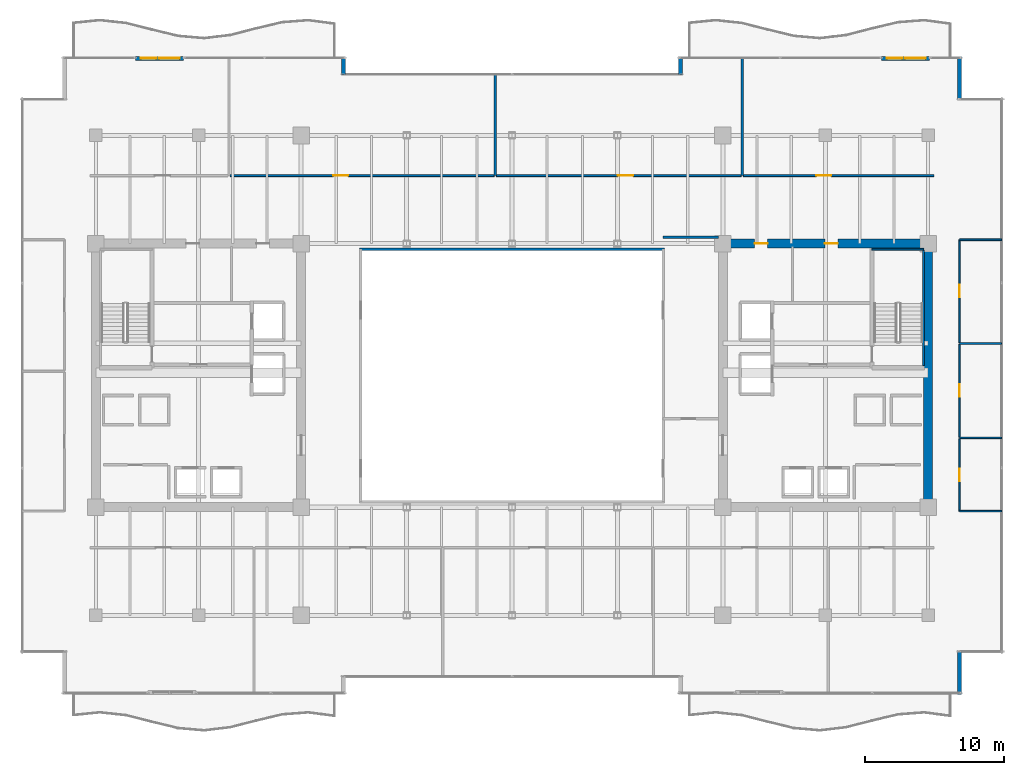
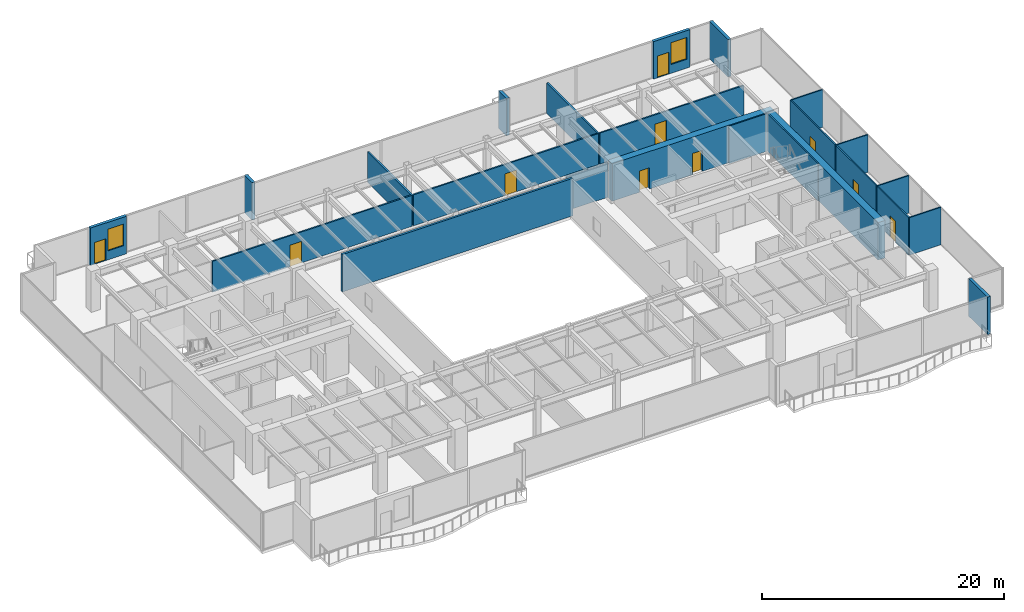
# One storey, part 26 of 30: 24 walls, 10 doors, 2 windows, 12 openings.
"""IFC4 building model written with IfcOpenShell, lengths in metres."""

import ifcopenshell
import ifcopenshell.guid

model = None  # the IFC model being written
_history = None  # IfcOwnerHistory: only IFC2X3 demands one
_inside = {}  # id of a spatial element -> (the spatial element, [elements in it])
_under = {}  # id of a project, library or spatial element -> (it, [spatial elements below it])
_declared = {}  # id of a project -> (the project, [libraries it declares])
_typed = {}  # id of a type object -> (the type object, [elements of that type])
_made_of = {}  # id of a material, layer set ... -> (it, [elements and type objects made of it])


def new_model(schema):
    """Start an empty IFC model of exactly this schema.

    Asked for "IFC4X3", IfcOpenShell would pick the latest addendum, in which some entities
    have other attributes; the version numbers below select the first issue.
    IFC2X3 requires an IfcOwnerHistory on every rooted entity: one is made here for all.
    """
    global model, _history
    if schema == "IFC4X3":
        model = ifcopenshell.file(schema_version=(4, 3, 0, 0))
    else:
        model = ifcopenshell.file(schema=schema)
    _inside.clear()
    _under.clear()
    _declared.clear()
    _typed.clear()
    _made_of.clear()
    _history = None
    if model.schema == "IFC2X3":
        org = make("IfcOrganization", Name="unknown")
        user = make(
            "IfcPersonAndOrganization",
            ThePerson=make("IfcPerson", FamilyName="unknown"),
            TheOrganization=org,
        )
        app = make(
            "IfcApplication",
            ApplicationDeveloper=org,
            Version="unknown",
            ApplicationFullName="unknown",
            ApplicationIdentifier="unknown",
        )
        _history = make(
            "IfcOwnerHistory",
            OwningUser=user,
            OwningApplication=app,
            ChangeAction="ADDED",
            CreationDate=0,
        )
    return model


def make(cls, **values):
    """One entity of the class cls with the attributes given. An attribute that is None is left unset."""
    return model.create_entity(
        cls, **{name: value for name, value in values.items() if value is not None}
    )


def rooted(cls, **values):
    """An entity with a GlobalId (a new one), such as an element, a storey or a relation."""
    return make(cls, GlobalId=ifcopenshell.guid.new(), OwnerHistory=_history, **values)


def si_unit(unit_type, name, prefix=None):
    """IfcSIUnit, for example si_unit("LENGTHUNIT", "METRE", prefix="MILLI")."""
    return make("IfcSIUnit", UnitType=unit_type, Prefix=prefix, Name=name)


def assignment(units):
    """IfcUnitAssignment: the units of a project."""
    return None if units is None else make("IfcUnitAssignment", Units=units)


def point(xyz):
    """IfcCartesianPoint."""
    return None if xyz is None else make("IfcCartesianPoint", Coordinates=xyz)


def direction(xyz):
    """IfcDirection."""
    return None if xyz is None else make("IfcDirection", DirectionRatios=xyz)


def frame(location, z_axis=None, x_axis=None):
    """IfcAxis2Placement3D, a coordinate frame: its origin and axes. An axis left out is left unset."""
    return make(
        "IfcAxis2Placement3D",
        Location=point(location),
        Axis=direction(z_axis),
        RefDirection=direction(x_axis),
    )


def frame_2d(location, x_axis=None):
    """IfcAxis2Placement2D, a coordinate frame in the plane: its origin and x axis."""
    return make(
        "IfcAxis2Placement2D", Location=point(location), RefDirection=direction(x_axis)
    )


def origin():
    """The frame at (0, 0, 0) with its axes left unset."""
    return frame((0.0, 0.0, 0.0))


def place(relative_to, where):
    """IfcLocalPlacement: puts the frame where relative to a parent placement (None: the world)."""
    return make(
        "IfcLocalPlacement", PlacementRelTo=relative_to, RelativePlacement=where
    )


def context(
    kind, dimensions, precision=None, world=None, true_north=None, identifier=None
):
    """IfcGeometricRepresentationContext, for example the 3D "Model" context."""
    return make(
        "IfcGeometricRepresentationContext",
        ContextIdentifier=identifier,
        ContextType=kind,
        CoordinateSpaceDimension=dimensions,
        Precision=precision,
        WorldCoordinateSystem=world,
        TrueNorth=true_north,
    )


def subcontext(parent, identifier, kind, view, scale=None):
    """IfcGeometricRepresentationSubContext, for example "Body" below "Model"."""
    return make(
        "IfcGeometricRepresentationSubContext",
        ContextIdentifier=identifier,
        ContextType=kind,
        ParentContext=parent,
        TargetScale=scale,
        TargetView=view,
    )


def project(units=None, contexts=None):
    """IfcProject with its units and contexts."""
    return rooted(
        "IfcProject",
        Name="project",
        RepresentationContexts=contexts,
        UnitsInContext=assignment(units),
    )


def spatial(cls, under=None, at=None, **own):
    """A site, building, storey or space (cls), placed at a placement, below another one or the project."""
    s = rooted(cls, ObjectPlacement=at, **own)
    if under is not None:
        _under.setdefault(under.id(), (under, []))[1].append(s)
    return s


def profile(cls, at=None, kind="AREA", **sizes):
    """A parametric profile (cls). Its sizes go by their IFC names, for example OverallWidth=200.0."""
    return make(cls, ProfileType=kind, Position=at, **sizes)


def rectangle(**sizes):
    """IfcRectangleProfileDef."""
    return profile("IfcRectangleProfileDef", **sizes)


def extrude(swept, where, along, depth):
    """IfcExtrudedAreaSolid: the profile swept, set in the frame where, extruded along a direction by depth."""
    return make(
        "IfcExtrudedAreaSolid",
        SweptArea=swept,
        Position=where,
        ExtrudedDirection=direction(along),
        Depth=depth,
    )


def shape(context_of_items, identifier, shape_type, items):
    """IfcShapeRepresentation: the items that make up one representation, for example the "Body"."""
    return make(
        "IfcShapeRepresentation",
        ContextOfItems=context_of_items,
        RepresentationIdentifier=identifier,
        RepresentationType=shape_type,
        Items=items,
    )


def source(mapping_origin, context_of_items, identifier, shape_type, items):
    """IfcRepresentationMap: a shape defined once, which mapped items show again and again."""
    return make(
        "IfcRepresentationMap",
        MappingOrigin=mapping_origin,
        MappedRepresentation=shape(context_of_items, identifier, shape_type, items),
    )


def transform(
    local_origin,
    x_axis=None,
    y_axis=None,
    z_axis=None,
    scale=None,
    scale2=None,
    scale3=None,
    uniform=True,
):
    """IfcCartesianTransformationOperator3D, or its non-uniform kind. x_axis, y_axis, z_axis: its Axis1, 2, 3."""
    if uniform:
        return make(
            "IfcCartesianTransformationOperator3D",
            Axis1=direction(x_axis),
            Axis2=direction(y_axis),
            LocalOrigin=point(local_origin),
            Scale=scale,
            Axis3=direction(z_axis),
        )
    return make(
        "IfcCartesianTransformationOperator3DnonUniform",
        Axis1=direction(x_axis),
        Axis2=direction(y_axis),
        LocalOrigin=point(local_origin),
        Scale=scale,
        Axis3=direction(z_axis),
        Scale2=scale2,
        Scale3=scale3,
    )


def mapped(mapping_source, mapping_target):
    """IfcMappedItem: shows the shape of a source again, moved by a transform."""
    return make(
        "IfcMappedItem", MappingSource=mapping_source, MappingTarget=mapping_target
    )


def material(Name=None, Category=None):
    """IfcMaterial."""
    return make("IfcMaterial", Name=Name, Category=Category)


def layer(
    of_material, thickness, ventilated=None, Name=None, Category=None, Priority=None
):
    """IfcMaterialLayer: one layer of a wall or slab, of a material (None: an air gap)."""
    return make(
        "IfcMaterialLayer",
        Material=of_material,
        LayerThickness=thickness,
        IsVentilated=ventilated,
        Name=Name,
        Category=Category,
        Priority=Priority,
    )


def layer_set(layers, Name=None):
    """IfcMaterialLayerSet."""
    return make("IfcMaterialLayerSet", MaterialLayers=layers, LayerSetName=Name)


def made_of(thing, what):
    """Note that an element or type object is made of a material, layer set ...; save() writes the relation."""
    if what is not None:
        _made_of.setdefault(what.id(), (what, []))[1].append(thing)
    return thing


def type_object(cls, material=None, **own):
    """A type object (cls), such as IfcWallType, which elements share."""
    return made_of(rooted(cls, **own), material)


def type_shapes(of_type, sources):
    """Give a type object the sources (RepresentationMaps) that its elements show as mapped items."""
    of_type.RepresentationMaps = sources


def element(
    cls,
    number,
    at=None,
    inside=None,
    cuts=None,
    type_object=None,
    material=None,
    context=None,
    identifier="Body",
    shape_type=None,
    held_by="IfcProductDefinitionShape",
    body=None,
    shapes=None,
    **own,
):
    """One element of the class cls, such as IfcWall. Its Tag is "e" and its number.

    at: its placement. inside: the storey or other place that contains it. cuts: it is an
    opening in that element (IfcRelVoidsElement). A single representation is given by context,
    identifier, shape_type and body (its items); several are given by shapes. held_by: the class
    of the entity that holds the representations. save() writes the other relations.
    """
    e = rooted(cls, Tag="e%d" % number, ObjectPlacement=at, **own)
    if body is not None:
        shapes = [shape(context, identifier, shape_type, body)]
    if shapes is not None:
        e.Representation = make(held_by, Representations=shapes)
    if inside is not None:
        _inside.setdefault(inside.id(), (inside, []))[1].append(e)
    if cuts is not None:
        rooted(
            "IfcRelVoidsElement", RelatingBuildingElement=cuts, RelatedOpeningElement=e
        )
    if type_object is not None:
        _typed.setdefault(type_object.id(), (type_object, []))[1].append(e)
    return made_of(e, material)


def fill(opening, filler):
    """IfcRelFillsElement: the door or window that sits in an opening."""
    return rooted(
        "IfcRelFillsElement",
        RelatingOpeningElement=opening,
        RelatedBuildingElement=filler,
    )


def aggregate(whole, parts):
    """IfcRelAggregates: a whole, such as a stair, and the parts it consists of."""
    return rooted("IfcRelAggregates", RelatingObject=whole, RelatedObjects=parts)


def save(model, path):
    """Write the relations noted so far, then the file.

    IfcRelAggregates (storeys below a building ...), IfcRelContainedInSpatialStructure (elements
    in a storey), IfcRelDefinesByType, IfcRelAssociatesMaterial and IfcRelDeclares: one each for
    every whole, place, type object, material and project.
    """
    for whole, parts in _under.values():
        aggregate(whole, parts)
    for where, things in _inside.values():
        rooted(
            "IfcRelContainedInSpatialStructure",
            RelatedElements=things,
            RelatingStructure=where,
        )
    for kind, things in _typed.values():
        rooted("IfcRelDefinesByType", RelatedObjects=things, RelatingType=kind)
    for what, things in _made_of.values():
        rooted("IfcRelAssociatesMaterial", RelatedObjects=things, RelatingMaterial=what)
    for by, libraries in _declared.values():
        rooted("IfcRelDeclares", RelatingContext=by, RelatedDefinitions=libraries)
    model.write(path)


model = new_model("IFC4")

# Units and contexts
model_context = context("Model", 3, precision=1e-05, world=origin(), true_north=direction((0.0, 1.0)))
body_context = subcontext(model_context, "Body", "Model", "MODEL_VIEW")
ifc_project = project(units=[si_unit("LENGTHUNIT", "METRE"), si_unit("AREAUNIT", "SQUARE_METRE"), si_unit("VOLUMEUNIT", "CUBIC_METRE"), si_unit("PLANEANGLEUNIT", "RADIAN"), si_unit("MASSUNIT", "GRAM", prefix="KILO")], contexts=[model_context])

# Site, building, storey
site_placement = place(None, origin())
site = spatial("IfcSite", under=ifc_project, at=site_placement, CompositionType="ELEMENT")
building_placement = place(site_placement, origin())
building = spatial("IfcBuilding", under=site, at=building_placement, Name="Haelvirn Gate Laboratories", CompositionType="ELEMENT")
storey_placement = place(building_placement, frame((0.0, 0.0, 146.10009765625)))
storey = spatial("IfcBuildingStorey", under=building, at=storey_placement, Name="L35", CompositionType="ELEMENT", Elevation=146.10009765625)

# Wall, openings, door, window
ifc_material_1 = material(Name="Thermally-broken bronze aluminium rainscreen & mineral wool", Category="aluminium")
ifc_layer_1 = layer(ifc_material_1, 0.280029296875, Name="EW-TERR-280")
ifc_layer_set_1 = layer_set([ifc_layer_1], Name="Thermally-broken bronze aluminium rainscreen & mineral wool")
wall_type_1 = type_object("IfcWallType", Name="EW-TERR-280", PredefinedType="STANDARD", material=ifc_layer_set_1)
wall_1_placement = place(storey_placement, frame((10.261962890625, 47.159912109375, 0.0), z_axis=(0.0, 0.0, 1.0), x_axis=(1.0, 0.0, 0.0)))
wall_1 = element("IfcWall", 1, at=wall_1_placement, inside=storey, type_object=wall_type_1, Name="L35 Terrace Access Wall WB-WL-N", PredefinedType="STANDARD", context=body_context, shape_type="SweptSolid", body=[
    extrude(rectangle(XDim=3.4609375, YDim=0.280029296875, at=frame_2d((1.73046875, 0.0))), origin(), (0.0, 0.0, 1.0), 3.789794921875),
])
opening_1_placement = place(wall_1_placement, frame((0.3779296875, 0.0, 0.0)))
opening_1 = element("IfcOpeningElement", 2, at=opening_1_placement, cuts=wall_1, Name="Opening TD1", PredefinedType="OPENING", context=body_context, shape_type="SweptSolid", body=[
    extrude(rectangle(XDim=1.10009765625, YDim=2.199951171875, at=frame_2d((0.550048828125, 1.10009765625))), frame((0.0, 0.14990234375, 0.0), z_axis=(0.0, -1.0, 0.0), x_axis=(1.0, 0.0, 0.0)), (0.0, 0.0, 1.0), 0.300048828125),
])
opening_2_placement = place(wall_1_placement, frame((1.677978515625, 0.0, 0.89990234375)))
opening_2 = element("IfcOpeningElement", 3, at=opening_2_placement, cuts=wall_1, Name="Opening W3", PredefinedType="OPENING", context=body_context, shape_type="SweptSolid", body=[
    extrude(rectangle(XDim=1.5, YDim=2.199951171875, at=frame_2d((0.75, 1.10009765625))), frame((0.0, 0.14990234375, 0.0), z_axis=(0.0, -1.0, 0.0), x_axis=(1.0, 0.0, 0.0)), (0.0, 0.0, 1.0), 0.300048828125),
])
ifc_material_2 = material(Name="Thermally-broken bronze aluminium glazed terrace door", Category="aluminium")
door_type_1 = type_object("IfcDoorType", Name="DR-TERR-1100", OperationType="NOTDEFINED", PredefinedType="DOOR", material=ifc_material_2)
shared_shape_1 = source(origin(), body_context, "Body", "SweptSolid", [
    extrude(rectangle(XDim=1.10009765625, YDim=2.199951171875, at=frame_2d((0.550048828125, 1.10009765625))), frame((0.0, 0.02490234375, 0.0), z_axis=(0.0, -1.0, 0.0), x_axis=(1.0, 0.0, 0.0)), (0.0, 0.0, 1.0), 0.050048828125),
])
type_shapes(door_type_1, [shared_shape_1])
door_1_placement = place(opening_1_placement, origin())
door_1 = element("IfcDoor", 4, at=door_1_placement, inside=storey, type_object=door_type_1, Name="L35 Terrace Access Door WB-WL-N", OperationType="SINGLE_SWING_RIGHT", OverallHeight=2.199951171875, OverallWidth=1.10009765625, PredefinedType="DOOR", context=body_context, shape_type="MappedRepresentation", body=[
    mapped(shared_shape_1, transform((0.0, 0.0, 0.0), scale=1.0)),
])
fill(opening_1, door_1)
ifc_material_3 = material(Name="Bronze anodised aluminium & triple low-E glass", Category="aluminium")
window_type = type_object("IfcWindowType", Name="WIN-TERR-1600", PartitioningType="SINGLE_PANEL", PredefinedType="WINDOW", material=ifc_material_3)
shared_shape_2 = source(origin(), body_context, "Body", "SweptSolid", [
    extrude(rectangle(XDim=1.5, YDim=2.199951171875, at=frame_2d((0.75, 1.10009765625))), frame((0.0, 0.030029296875, 0.0), z_axis=(0.0, -1.0, 0.0), x_axis=(1.0, 0.0, 0.0)), (0.0, 0.0, 1.0), 0.06005859375),
])
type_shapes(window_type, [shared_shape_2])
window_1_placement = place(opening_2_placement, origin())
window_1 = element("IfcWindow", 5, at=window_1_placement, inside=storey, type_object=window_type, Name="L35 Terrace Vision Window WB-WL-N", OverallHeight=2.199951171875, OverallWidth=1.5, PartitioningType="SINGLE_PANEL", PredefinedType="WINDOW", context=body_context, shape_type="MappedRepresentation", body=[
    mapped(shared_shape_2, transform((0.0, 0.0, 0.0), scale=1.0)),
])
fill(opening_2, window_1)

wall_2_placement = place(storey_placement, frame((64.0419921875, 47.159912109375, 0.0), z_axis=(0.0, 0.0, 1.0), x_axis=(1.0, 0.0, 0.0)))
wall_2 = element("IfcWall", 6, at=wall_2_placement, inside=storey, type_object=wall_type_1, Name="L35 Terrace Access Wall WB-EL-N", PredefinedType="STANDARD", context=body_context, shape_type="SweptSolid", body=[
    extrude(rectangle(XDim=3.4609375, YDim=0.280029296875, at=frame_2d((1.73046875, 0.0))), origin(), (0.0, 0.0, 1.0), 3.789794921875),
])
opening_3_placement = place(wall_2_placement, frame((0.3779296875, 0.0, 0.0)))
opening_3 = element("IfcOpeningElement", 7, at=opening_3_placement, cuts=wall_2, Name="Opening TD1", PredefinedType="OPENING", context=body_context, shape_type="SweptSolid", body=[
    extrude(rectangle(XDim=1.10009765625, YDim=2.199951171875, at=frame_2d((0.550048828125, 1.10009765625))), frame((0.0, 0.14990234375, 0.0), z_axis=(0.0, -1.0, 0.0), x_axis=(1.0, 0.0, 0.0)), (0.0, 0.0, 1.0), 0.300048828125),
])
opening_4_placement = place(wall_2_placement, frame((1.677978515625, 0.0, 0.89990234375)))
opening_4 = element("IfcOpeningElement", 8, at=opening_4_placement, cuts=wall_2, Name="Opening W3", PredefinedType="OPENING", context=body_context, shape_type="SweptSolid", body=[
    extrude(rectangle(XDim=1.5, YDim=2.199951171875, at=frame_2d((0.75, 1.10009765625))), frame((0.0, 0.14990234375, 0.0), z_axis=(0.0, -1.0, 0.0), x_axis=(1.0, 0.0, 0.0)), (0.0, 0.0, 1.0), 0.300048828125),
])
door_2_placement = place(opening_3_placement, origin())
door_2 = element("IfcDoor", 9, at=door_2_placement, inside=storey, type_object=door_type_1, Name="L35 Terrace Access Door WB-EL-N", OperationType="SINGLE_SWING_RIGHT", OverallHeight=2.199951171875, OverallWidth=1.10009765625, PredefinedType="DOOR", context=body_context, shape_type="MappedRepresentation", body=[
    mapped(shared_shape_1, transform((0.0, 0.0, 0.0), scale=1.0)),
])
fill(opening_3, door_2)
window_2_placement = place(opening_4_placement, origin())
window_2 = element("IfcWindow", 10, at=window_2_placement, inside=storey, type_object=window_type, Name="L35 Terrace Vision Window WB-EL-N", OverallHeight=2.199951171875, OverallWidth=1.5, PartitioningType="SINGLE_PANEL", PredefinedType="WINDOW", context=body_context, shape_type="MappedRepresentation", body=[
    mapped(shared_shape_2, transform((0.0, 0.0, 0.0), scale=1.0)),
])
fill(opening_4, window_2)

# Walls
wall_3_placement = place(storey_placement, frame((69.659912109375, 1.300048828125, 0.0), z_axis=(0.0, 0.0, 1.0), x_axis=(0.0, 1.0, 0.0)))
element("IfcWall", 11, at=wall_3_placement, inside=storey, type_object=wall_type_1, Name="L35 Atrium Recess Bronze Return Wall 05", PredefinedType="STANDARD", context=body_context, shape_type="SweptSolid", body=[
    extrude(rectangle(XDim=3.087890625, YDim=0.280029296875, at=frame_2d((1.5439453125, 0.0))), origin(), (0.0, 0.0, 1.0), 3.789794921875),
])
wall_4_placement = place(storey_placement, frame((69.659912109375, 44.2119140625, 0.0), z_axis=(0.0, 0.0, 1.0), x_axis=(0.0, 1.0, 0.0)))
element("IfcWall", 12, at=wall_4_placement, inside=storey, type_object=wall_type_1, Name="L35 Atrium Recess Bronze Return Wall 09", PredefinedType="STANDARD", context=body_context, shape_type="SweptSolid", body=[
    extrude(rectangle(XDim=3.088134765625, YDim=0.280029296875, at=frame_2d((1.5439453125, 0.0))), origin(), (0.0, 0.0, 1.0), 3.789794921875),
])
for number, where, z_axis, x_axis, name in (
    (13, (49.5400390625, 47.300048828125, 0.0), (0.0, 0.0, 1.0), (0.0, -1.0, 0.0), "L35 Atrium Recess Bronze Return Wall 11"),
    (14, (25.260009765625, 46.011962890625, 0.0), (0.0, 0.0, 1.0), (0.0, 1.0, 0.0), "L35 Atrium Recess Bronze Return Wall 13"),
):
    element("IfcWall", number, at=place(storey_placement, frame(where, z_axis=z_axis, x_axis=x_axis)), inside=storey, type_object=wall_type_1, Name=name, PredefinedType="STANDARD", context=body_context, shape_type="SweptSolid", body=[
        extrude(rectangle(XDim=1.2880859375, YDim=0.280029296875, at=frame_2d((0.64404296875, 0.0))), origin(), (0.0, 0.0, 1.0), 3.789794921875),
    ])
ifc_material_4 = material(Name="Double-layer acoustic gypsum laboratory partition", Category="gypsum")
ifc_layer_2 = layer(ifc_material_4, 0.159912109375, Name="IW-ACOUST-160")
ifc_layer_set_2 = layer_set([ifc_layer_2], Name="Double-layer acoustic gypsum laboratory partition")
wall_type_2 = type_object("IfcWallType", Name="IW-ACOUST-160", PredefinedType="PARTITIONING", material=ifc_layer_set_2)
wall_5_placement = place(storey_placement, frame((36.199951171875, 38.705078125, 0.0), z_axis=(0.0, 0.0, 1.0), x_axis=(0.0, 1.0, 0.0)))
element("IfcWall", 15, at=wall_5_placement, inside=storey, type_object=wall_type_2, Name="L35 Interior Wall IW-L35-NDIV-02", PredefinedType="PARTITIONING", context=body_context, shape_type="SweptSolid", body=[
    extrude(rectangle(XDim=7.284912109375, YDim=0.159912109375, at=frame_2d((3.642578125, 0.0))), origin(), (0.0, 0.0, 1.0), 3.074951171875),
])
wall_6_placement = place(storey_placement, frame((54.0, 38.705078125, 0.0), z_axis=(0.0, 0.0, 1.0), x_axis=(0.0, 1.0, 0.0)))
element("IfcWall", 16, at=wall_6_placement, inside=storey, type_object=wall_type_2, Name="L35 Interior Wall IW-L35-NDIV-03", PredefinedType="PARTITIONING", context=body_context, shape_type="SweptSolid", body=[
    extrude(rectangle(XDim=8.48486328125, YDim=0.159912109375, at=frame_2d((4.242431640625, 0.0))), origin(), (0.0, 0.0, 1.0), 3.074951171875),
])
ifc_material_5 = material(Name="Fire-rated acoustic gypsum board partition", Category="gypsum")
ifc_layer_3 = layer(ifc_material_5, 0.175048828125, Name="IW-ACOUST-180")
ifc_layer_set_3 = layer_set([ifc_layer_3], Name="Fire-rated acoustic gypsum board partition")
wall_type_3 = type_object("IfcWallType", Name="IW-ACOUST-180", PredefinedType="PARTITIONING", material=ifc_layer_set_3)
wall_7_placement = place(storey_placement, frame((48.300048828125, 34.260009765625, 0.0), z_axis=(0.0, 0.0, 1.0), x_axis=(1.0, 0.0, 0.0)))
element("IfcWall", 17, at=wall_7_placement, inside=storey, type_object=wall_type_3, Name="L35 Interior Wall IW-L35-ASEM-N", PredefinedType="PARTITIONING", context=body_context, shape_type="SweptSolid", body=[
    extrude(rectangle(XDim=3.974853515625, YDim=0.175048828125, at=frame_2d((1.9873046875, 0.0))), origin(), (0.0, 0.0, 1.0), 3.474853515625),
])
ifc_material_6 = material(Name="Tempered fire-rated borosilicate glass & anodised aluminium", Category="aluminium")
ifc_layer_4 = layer(ifc_material_6, 0.195068359375, Name="IW-GLAZ-200")
ifc_layer_set_4 = layer_set([ifc_layer_4], Name="Tempered fire-rated borosilicate glass & anodised aluminium")
wall_type_4 = type_object("IfcWallType", Name="IW-GLAZ-200", PredefinedType="SOLIDWALL", material=ifc_layer_set_4)
wall_8_placement = place(storey_placement, frame((26.39990234375, 33.39990234375, 0.0), z_axis=(0.0, 0.0, 1.0), x_axis=(1.0, 0.0, 0.0)))
element("IfcWall", 18, at=wall_8_placement, inside=storey, type_object=wall_type_4, Name="L35 Interior Wall IW-L35-ATRIUM-N", PredefinedType="SOLIDWALL", context=body_context, shape_type="SweptSolid", body=[
    extrude(rectangle(XDim=22.0, YDim=0.195068359375, at=frame_2d((11.0, 0.0))), origin(), (0.0, 0.0, 1.0), 3.789794921875),
])
ifc_material_7 = material(Name="Lightweight acoustic gypsum board partition", Category="gypsum")
ifc_layer_5 = layer(ifc_material_7, 0.1201171875, Name="IW-PART-120")
ifc_layer_set_5 = layer_set([ifc_layer_5], Name="Lightweight acoustic gypsum board partition")
wall_type_5 = type_object("IfcWallType", Name="IW-PART-120", PredefinedType="PARTITIONING", material=ifc_layer_set_5)
for number, where, z_axis, x_axis, name in (
    (19, (69.669921875, 14.514892578125, 0.0), (0.0, 0.0, 1.0), (1.0, 0.0, 0.0), "L35 Interior Wall IW-L35-ECAP-S"),
    (20, (69.669921875, 34.0849609375, 0.0), (0.0, 0.0, 1.0), (1.0, 0.0, 0.0), "L35 Interior Wall IW-L35-ECAP-N"),
):
    element("IfcWall", number, at=place(storey_placement, frame(where, z_axis=z_axis, x_axis=x_axis)), inside=storey, type_object=wall_type_5, Name=name, PredefinedType="PARTITIONING", context=body_context, shape_type="SweptSolid", body=[
        extrude(rectangle(XDim=3.02001953125, YDim=0.1201171875, at=frame_2d((1.510009765625, 0.0))), origin(), (0.0, 0.0, 1.0), 3.789794921875),
    ])

# Wall, opening, door
wall_9_placement = place(storey_placement, frame((69.669921875, 14.514892578125, 0.0), z_axis=(0.0, 0.0, 1.0), x_axis=(0.0, 1.0, 0.0)))
wall_9 = element("IfcWall", 21, at=wall_9_placement, inside=storey, type_object=wall_type_5, Name="L35 Interior Wall IW-L35-EPASS-01", PredefinedType="PARTITIONING", context=body_context, shape_type="SweptSolid", body=[
    extrude(rectangle(XDim=5.22509765625, YDim=0.1201171875, at=frame_2d((2.612548828125, 0.0))), origin(), (0.0, 0.0, 1.0), 3.789794921875),
])
opening_5_placement = place(wall_9_placement, frame((2.16259765625, 0.0, 0.0)))
opening_5 = element("IfcOpeningElement", 22, at=opening_5_placement, cuts=wall_9, Name="Opening D4", PredefinedType="OPENING", context=body_context, shape_type="SweptSolid", body=[
    extrude(rectangle(XDim=0.89990234375, YDim=2.10009765625, at=frame_2d((0.449951171875, 1.050048828125))), frame((0.0, 0.070068359375, 0.0), z_axis=(0.0, -1.0, 0.0), x_axis=(1.0, 0.0, 0.0)), (0.0, 0.0, 1.0), 0.14013671875),
])
ifc_material_8 = material(Name="Glazed aluminium-framed write-up door", Category="aluminium")
door_type_2 = type_object("IfcDoorType", Name="DR-OFF-900", OperationType="NOTDEFINED", PredefinedType="DOOR", material=ifc_material_8)
shared_shape_3 = source(origin(), body_context, "Body", "SweptSolid", [
    extrude(rectangle(XDim=0.89990234375, YDim=2.10009765625, at=frame_2d((0.449951171875, 1.050048828125))), frame((0.0, 0.02490234375, 0.0), z_axis=(0.0, -1.0, 0.0), x_axis=(1.0, 0.0, 0.0)), (0.0, 0.0, 1.0), 0.050048828125),
])
type_shapes(door_type_2, [shared_shape_3])
door_3_placement = place(opening_5_placement, origin())
door_3 = element("IfcDoor", 23, at=door_3_placement, inside=storey, type_object=door_type_2, Name="L35 Genomics Assay Laboratory Door E1", OperationType="SINGLE_SWING_LEFT", OverallHeight=2.10009765625, OverallWidth=0.89990234375, PredefinedType="DOOR", context=body_context, shape_type="MappedRepresentation", body=[
    mapped(shared_shape_3, transform((0.0, 0.0, 0.0), scale=1.0)),
])
fill(opening_5, door_3)

# Wall
wall_10_placement = place(storey_placement, frame((69.669921875, 19.800048828125, 0.0), z_axis=(0.0, 0.0, 1.0), x_axis=(1.0, 0.0, 0.0)))
element("IfcWall", 24, at=wall_10_placement, inside=storey, type_object=wall_type_5, Name="L35 Interior Wall IW-L35-EDIV-01", PredefinedType="PARTITIONING", context=body_context, shape_type="SweptSolid", body=[
    extrude(rectangle(XDim=3.02001953125, YDim=0.1201171875, at=frame_2d((1.510009765625, 0.0))), origin(), (0.0, 0.0, 1.0), 3.789794921875),
])

# Wall, opening, door
wall_11_placement = place(storey_placement, frame((69.669921875, 19.860107421875, 0.0), z_axis=(0.0, 0.0, 1.0), x_axis=(0.0, 1.0, 0.0)))
wall_11 = element("IfcWall", 25, at=wall_11_placement, inside=storey, type_object=wall_type_5, Name="L35 Interior Wall IW-L35-EPASS-02", PredefinedType="PARTITIONING", context=body_context, shape_type="SweptSolid", body=[
    extrude(rectangle(XDim=6.679931640625, YDim=0.1201171875, at=frame_2d((3.33984375, 0.0))), origin(), (0.0, 0.0, 1.0), 3.789794921875),
])
opening_6_placement = place(wall_11_placement, frame((2.889892578125, 0.0, 0.0)))
opening_6 = element("IfcOpeningElement", 26, at=opening_6_placement, cuts=wall_11, Name="Opening D4", PredefinedType="OPENING", context=body_context, shape_type="SweptSolid", body=[
    extrude(rectangle(XDim=0.89990234375, YDim=2.10009765625, at=frame_2d((0.449951171875, 1.050048828125))), frame((0.0, 0.070068359375, 0.0), z_axis=(0.0, -1.0, 0.0), x_axis=(1.0, 0.0, 0.0)), (0.0, 0.0, 1.0), 0.14013671875),
])
door_4_placement = place(opening_6_placement, origin())
door_4 = element("IfcDoor", 27, at=door_4_placement, inside=storey, type_object=door_type_2, Name="L35 Proteomics Mass-Spec Laboratory Door E2", OperationType="SINGLE_SWING_RIGHT", OverallHeight=2.10009765625, OverallWidth=0.89990234375, PredefinedType="DOOR", context=body_context, shape_type="MappedRepresentation", body=[
    mapped(shared_shape_3, transform((0.0, 0.0, 0.0), scale=1.0)),
])
fill(opening_6, door_4)

# Wall
wall_12_placement = place(storey_placement, frame((69.669921875, 26.60009765625, 0.0), z_axis=(0.0, 0.0, 1.0), x_axis=(1.0, 0.0, 0.0)))
element("IfcWall", 28, at=wall_12_placement, inside=storey, type_object=wall_type_5, Name="L35 Interior Wall IW-L35-EDIV-02", PredefinedType="PARTITIONING", context=body_context, shape_type="SweptSolid", body=[
    extrude(rectangle(XDim=3.02001953125, YDim=0.1201171875, at=frame_2d((1.510009765625, 0.0))), origin(), (0.0, 0.0, 1.0), 3.789794921875),
])

# Wall, opening, door
wall_13_placement = place(storey_placement, frame((69.669921875, 26.659912109375, 0.0), z_axis=(0.0, 0.0, 1.0), x_axis=(0.0, 1.0, 0.0)))
wall_13 = element("IfcWall", 29, at=wall_13_placement, inside=storey, type_object=wall_type_5, Name="L35 Interior Wall IW-L35-EPASS-03", PredefinedType="PARTITIONING", context=body_context, shape_type="SweptSolid", body=[
    extrude(rectangle(XDim=7.425048828125, YDim=0.1201171875, at=frame_2d((3.71240234375, 0.0))), origin(), (0.0, 0.0, 1.0), 3.789794921875),
])
opening_7_placement = place(wall_13_placement, frame((3.262451171875, 0.0, 0.0)))
opening_7 = element("IfcOpeningElement", 30, at=opening_7_placement, cuts=wall_13, Name="Opening D4", PredefinedType="OPENING", context=body_context, shape_type="SweptSolid", body=[
    extrude(rectangle(XDim=0.89990234375, YDim=2.10009765625, at=frame_2d((0.449951171875, 1.050048828125))), frame((0.0, 0.070068359375, 0.0), z_axis=(0.0, -1.0, 0.0), x_axis=(1.0, 0.0, 0.0)), (0.0, 0.0, 1.0), 0.14013671875),
])
door_5_placement = place(opening_7_placement, origin())
door_5 = element("IfcDoor", 31, at=door_5_placement, inside=storey, type_object=door_type_2, Name="L35 Chemical Synthesis Laboratory Door E3", OperationType="SINGLE_SWING_LEFT", OverallHeight=2.10009765625, OverallWidth=0.89990234375, PredefinedType="DOOR", context=body_context, shape_type="MappedRepresentation", body=[
    mapped(shared_shape_3, transform((0.0, 0.0, 0.0), scale=1.0)),
])
fill(opening_7, door_5)

ifc_material_9 = material(Name="Acoustic mineral-wool gypsum board partition", Category="gypsum")
ifc_layer_6 = layer(ifc_material_9, 0.139892578125, Name="IW-PART-140")
ifc_layer_set_6 = layer_set([ifc_layer_6], Name="Acoustic mineral-wool gypsum board partition")
wall_type_6 = type_object("IfcWallType", Name="IW-PART-140", PredefinedType="PARTITIONING", material=ifc_layer_set_6)
wall_14_placement = place(storey_placement, frame((17.080078125, 38.705078125, 0.0), z_axis=(0.0, 0.0, 1.0), x_axis=(1.0, 0.0, 0.0)))
wall_14 = element("IfcWall", 32, at=wall_14_placement, inside=storey, type_object=wall_type_6, Name="L35 Interior Wall IW-L35-NCORR-02", PredefinedType="PARTITIONING", context=body_context, shape_type="SweptSolid", body=[
    extrude(rectangle(XDim=19.0400390625, YDim=0.139892578125, at=frame_2d((9.52001953125, 0.0))), origin(), (0.0, 0.0, 1.0), 3.125),
])
opening_8_placement = place(wall_14_placement, frame((7.41845703125, 0.0, 0.0)))
opening_8 = element("IfcOpeningElement", 33, at=opening_8_placement, cuts=wall_14, Name="Opening D1", PredefinedType="OPENING", context=body_context, shape_type="SweptSolid", body=[
    extrude(rectangle(XDim=1.10009765625, YDim=2.179931640625, at=frame_2d((0.550048828125, 1.08984375))), frame((0.0, 0.080078125, 0.0), z_axis=(0.0, -1.0, 0.0), x_axis=(1.0, 0.0, 0.0)), (0.0, 0.0, 1.0), 0.159912109375),
])
ifc_material_10 = material(Name="Vision-panel acoustic solid-core timber lab door", Category="wood")
door_type_3 = type_object("IfcDoorType", Name="DR-LAB-1100", OperationType="NOTDEFINED", PredefinedType="DOOR", material=ifc_material_10)
shared_shape_4 = source(origin(), body_context, "Body", "SweptSolid", [
    extrude(rectangle(XDim=1.10009765625, YDim=2.179931640625, at=frame_2d((0.550048828125, 1.08984375))), frame((0.0, 0.02490234375, 0.0), z_axis=(0.0, -1.0, 0.0), x_axis=(1.0, 0.0, 0.0)), (0.0, 0.0, 1.0), 0.050048828125),
])
type_shapes(door_type_3, [shared_shape_4])
door_6_placement = place(opening_8_placement, origin())
door_6 = element("IfcDoor", 34, at=door_6_placement, inside=storey, type_object=door_type_3, Name="L35 Cryo-EM Imaging Suite Door N2", OperationType="SINGLE_SWING_RIGHT", OverallHeight=2.179931640625, OverallWidth=1.10009765625, PredefinedType="DOOR", context=body_context, shape_type="MappedRepresentation", body=[
    mapped(shared_shape_4, transform((0.0, 0.0, 0.0), scale=1.0)),
])
fill(opening_8, door_6)

wall_15_placement = place(storey_placement, frame((36.280029296875, 38.705078125, 0.0), z_axis=(0.0, 0.0, 1.0), x_axis=(1.0, 0.0, 0.0)))
wall_15 = element("IfcWall", 35, at=wall_15_placement, inside=storey, type_object=wall_type_6, Name="L35 Interior Wall IW-L35-NCORR-03", PredefinedType="PARTITIONING", context=body_context, shape_type="SweptSolid", body=[
    extrude(rectangle(XDim=17.639892578125, YDim=0.139892578125, at=frame_2d((8.81982421875, 0.0))), origin(), (0.0, 0.0, 1.0), 3.125),
])
opening_9_placement = place(wall_15_placement, frame((8.7451171875, 0.0, 0.0)))
opening_9 = element("IfcOpeningElement", 36, at=opening_9_placement, cuts=wall_15, Name="Opening D1", PredefinedType="OPENING", context=body_context, shape_type="SweptSolid", body=[
    extrude(rectangle(XDim=1.10009765625, YDim=2.179931640625, at=frame_2d((0.550048828125, 1.08984375))), frame((0.0, 0.080078125, 0.0), z_axis=(0.0, -1.0, 0.0), x_axis=(1.0, 0.0, 0.0)), (0.0, 0.0, 1.0), 0.159912109375),
])
door_7_placement = place(opening_9_placement, origin())
door_7 = element("IfcDoor", 37, at=door_7_placement, inside=storey, type_object=door_type_3, Name="L35 Analytical Instrument Suite Door N3", OperationType="SINGLE_SWING_LEFT", OverallHeight=2.179931640625, OverallWidth=1.10009765625, PredefinedType="DOOR", context=body_context, shape_type="MappedRepresentation", body=[
    mapped(shared_shape_4, transform((0.0, 0.0, 0.0), scale=1.0)),
])
fill(opening_9, door_7)

wall_16_placement = place(storey_placement, frame((54.080078125, 38.705078125, 0.0), z_axis=(0.0, 0.0, 1.0), x_axis=(1.0, 0.0, 0.0)))
wall_16 = element("IfcWall", 38, at=wall_16_placement, inside=storey, type_object=wall_type_6, Name="L35 Interior Wall IW-L35-NCORR-04", PredefinedType="PARTITIONING", context=body_context, shape_type="SweptSolid", body=[
    extrude(rectangle(XDim=13.739990234375, YDim=0.139892578125, at=frame_2d((6.8701171875, 0.0))), origin(), (0.0, 0.0, 1.0), 3.125),
])
opening_10_placement = place(wall_16_placement, frame((5.245361328125, 0.0, 0.0)))
opening_10 = element("IfcOpeningElement", 39, at=opening_10_placement, cuts=wall_16, Name="Opening D1", PredefinedType="OPENING", context=body_context, shape_type="SweptSolid", body=[
    extrude(rectangle(XDim=1.10009765625, YDim=2.179931640625, at=frame_2d((0.550048828125, 1.08984375))), frame((0.0, 0.080078125, 0.0), z_axis=(0.0, -1.0, 0.0), x_axis=(1.0, 0.0, 0.0)), (0.0, 0.0, 1.0), 0.159912109375),
])
door_8_placement = place(opening_10_placement, origin())
door_8 = element("IfcDoor", 40, at=door_8_placement, inside=storey, type_object=door_type_3, Name="L35 Floor Hydration & Tea Servery Door N4", OperationType="SINGLE_SWING_RIGHT", OverallHeight=2.179931640625, OverallWidth=1.10009765625, PredefinedType="DOOR", context=body_context, shape_type="MappedRepresentation", body=[
    mapped(shared_shape_4, transform((0.0, 0.0, 0.0), scale=1.0)),
])
fill(opening_10, door_8)

# Wall, openings, doors
ifc_material_11 = material(Name="Concrete C60/75", Category="concrete")
ifc_layer_7 = layer(ifc_material_11, 0.64990234375, Name="SW-CORE-650")
ifc_layer_set_7 = layer_set([ifc_layer_7], Name="Concrete C60/75")
wall_type_7 = type_object("IfcWallType", Name="SW-CORE-650", PredefinedType="SHEAR", material=ifc_layer_set_7)
wall_17_placement = place(storey_placement, frame((52.27490234375, 33.800048828125, 0.0), z_axis=(0.0, 0.0, 1.0), x_axis=(1.0, 0.0, 0.0)))
wall_17 = element("IfcWall", 41, at=wall_17_placement, inside=storey, type_object=wall_type_7, Name="L35 E Core Shear Wall N", PredefinedType="SHEAR", context=body_context, shape_type="SweptSolid", body=[
    extrude(rectangle(XDim=15.4501953125, YDim=0.64990234375, at=frame_2d((7.72509765625, 0.0))), origin(), (0.0, 0.0, 1.0), 3.789794921875),
])
opening_11_placement = place(wall_17_placement, frame((7.675048828125, 0.0, 0.0)))
opening_11 = element("IfcOpeningElement", 42, at=opening_11_placement, cuts=wall_17, Name="Opening FD4", PredefinedType="OPENING", context=body_context, shape_type="SweptSolid", body=[
    extrude(rectangle(XDim=0.949951171875, YDim=2.14990234375, at=frame_2d((0.47509765625, 1.074951171875))), frame((0.0, 0.3349609375, 0.0), z_axis=(0.0, -1.0, 0.0), x_axis=(1.0, 0.0, 0.0)), (0.0, 0.0, 1.0), 0.669921875),
])
opening_12_placement = place(wall_17_placement, frame((2.610107421875, 0.0, 0.0)))
opening_12 = element("IfcOpeningElement", 43, at=opening_12_placement, cuts=wall_17, Name="Opening FD4", PredefinedType="OPENING", context=body_context, shape_type="SweptSolid", body=[
    extrude(rectangle(XDim=0.949951171875, YDim=2.14990234375, at=frame_2d((0.47509765625, 1.074951171875))), frame((0.0, 0.3349609375, 0.0), z_axis=(0.0, -1.0, 0.0), x_axis=(1.0, 0.0, 0.0)), (0.0, 0.0, 1.0), 0.669921875),
])
ifc_material_12 = material(Name="Fire-rated steel SM355 core service door", Category="steel")
door_type_4 = type_object("IfcDoorType", Name="DR-FD-950", OperationType="NOTDEFINED", PredefinedType="DOOR", material=ifc_material_12)
shared_shape_5 = source(origin(), body_context, "Body", "SweptSolid", [
    extrude(rectangle(XDim=0.949951171875, YDim=2.14990234375, at=frame_2d((0.47509765625, 1.074951171875))), frame((0.0, 0.02490234375, 0.0), z_axis=(0.0, -1.0, 0.0), x_axis=(1.0, 0.0, 0.0)), (0.0, 0.0, 1.0), 0.050048828125),
])
type_shapes(door_type_4, [shared_shape_5])
door_9_placement = place(opening_11_placement, origin())
door_9 = element("IfcDoor", 44, at=door_9_placement, inside=storey, type_object=door_type_4, Name="L35 All-Gender Multi-Stall Restroom Fire Door", OperationType="SINGLE_SWING_RIGHT", OverallHeight=2.14990234375, OverallWidth=0.949951171875, PredefinedType="DOOR", context=body_context, shape_type="MappedRepresentation", body=[
    mapped(shared_shape_5, transform((0.0, 0.0, 0.0), scale=1.0)),
])
fill(opening_11, door_9)
door_10_placement = place(opening_12_placement, origin())
door_10 = element("IfcDoor", 45, at=door_10_placement, inside=storey, type_object=door_type_4, Name="L35 Accessible Restroom Fire Door", OperationType="SINGLE_SWING_LEFT", OverallHeight=2.14990234375, OverallWidth=0.949951171875, PredefinedType="DOOR", context=body_context, shape_type="MappedRepresentation", body=[
    mapped(shared_shape_5, transform((0.0, 0.0, 0.0), scale=1.0)),
])
fill(opening_12, door_10)

# Walls
wall_18_placement = place(storey_placement, frame((67.39990234375, 15.125, 0.0), z_axis=(0.0, 0.0, 1.0), x_axis=(0.0, 1.0, 0.0)))
element("IfcWall", 46, at=wall_18_placement, inside=storey, type_object=wall_type_7, Name="L35 E Core Shear Wall E", PredefinedType="SHEAR", context=body_context, shape_type="SweptSolid", body=[
    extrude(rectangle(XDim=18.35009765625, YDim=0.64990234375, at=frame_2d((9.175048828125, 0.0))), origin(), (0.0, 0.0, 1.0), 3.789794921875),
])
ifc_material_13 = material(Name="Concrete C50/60", Category="concrete")
ifc_layer_8 = layer(ifc_material_13, 0.1201171875, Name="SW-LINER-120")
ifc_layer_set_8 = layer_set([ifc_layer_8], Name="Concrete C50/60")
wall_type_8 = type_object("IfcWallType", Name="SW-LINER-120", PredefinedType="SOLIDWALL", material=ifc_layer_set_8)
wall_19_placement = place(storey_placement, frame((63.35009765625, 33.39990234375, 0.0), z_axis=(0.0, 0.0, 1.0), x_axis=(1.0, 0.0, 0.0)))
element("IfcWall", 47, at=wall_19_placement, inside=storey, type_object=wall_type_8, Name="L35 E Core Stair Shaft Liner Wall N", PredefinedType="SOLIDWALL", context=body_context, shape_type="SweptSolid", body=[
    extrude(rectangle(XDim=3.719970703125, YDim=0.1201171875, at=frame_2d((1.85986328125, 0.0))), origin(), (0.0, 0.0, 1.0), 3.789794921875),
])
wall_20_placement = place(storey_placement, frame((67.070068359375, 25.0, 0.0), z_axis=(0.0, 0.0, 1.0), x_axis=(0.0, 1.0, 0.0)))
element("IfcWall", 48, at=wall_20_placement, inside=storey, type_object=wall_type_8, Name="L35 E Core Stair Shaft Liner Wall OUT", PredefinedType="SOLIDWALL", context=body_context, shape_type="SweptSolid", body=[
    extrude(rectangle(XDim=8.320068359375, YDim=0.1201171875, at=frame_2d((4.16015625, 0.0))), origin(), (0.0, 0.0, 1.0), 3.789794921875),
])

save(model, "model.ifc")
